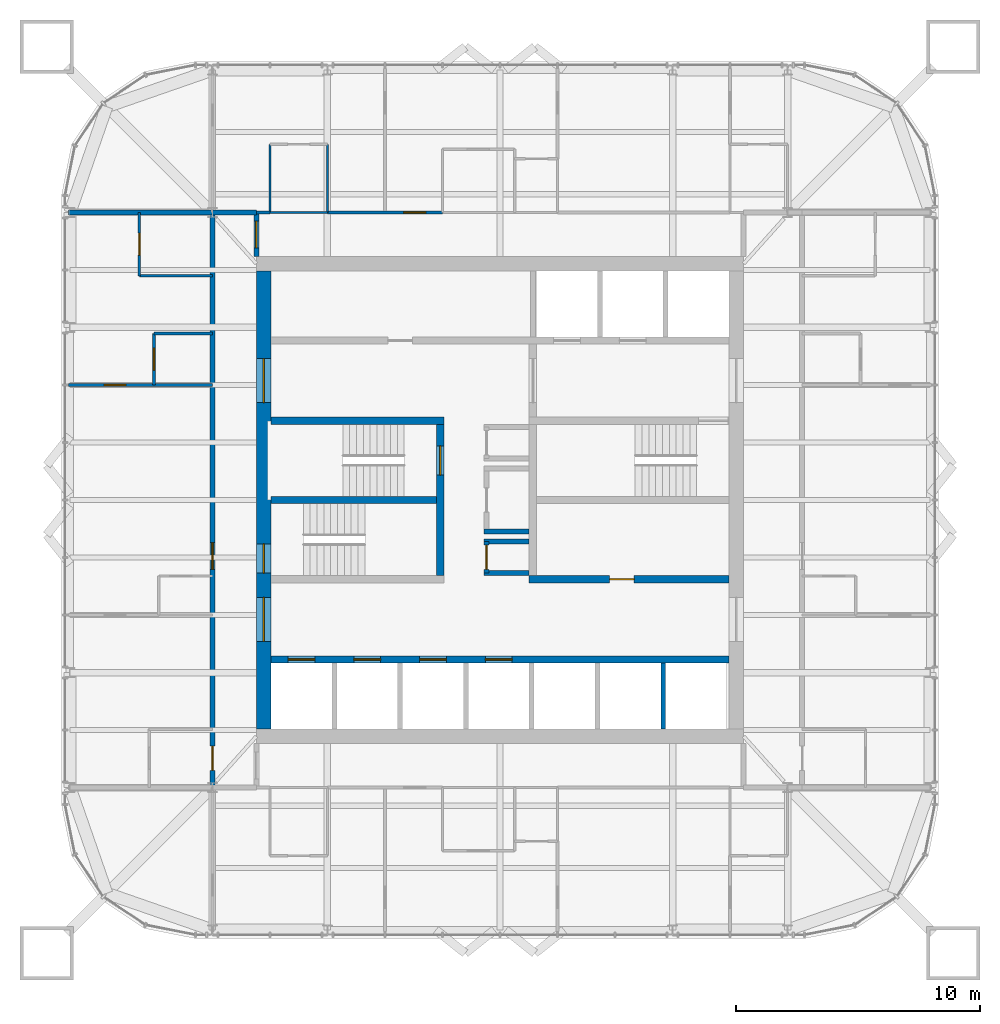
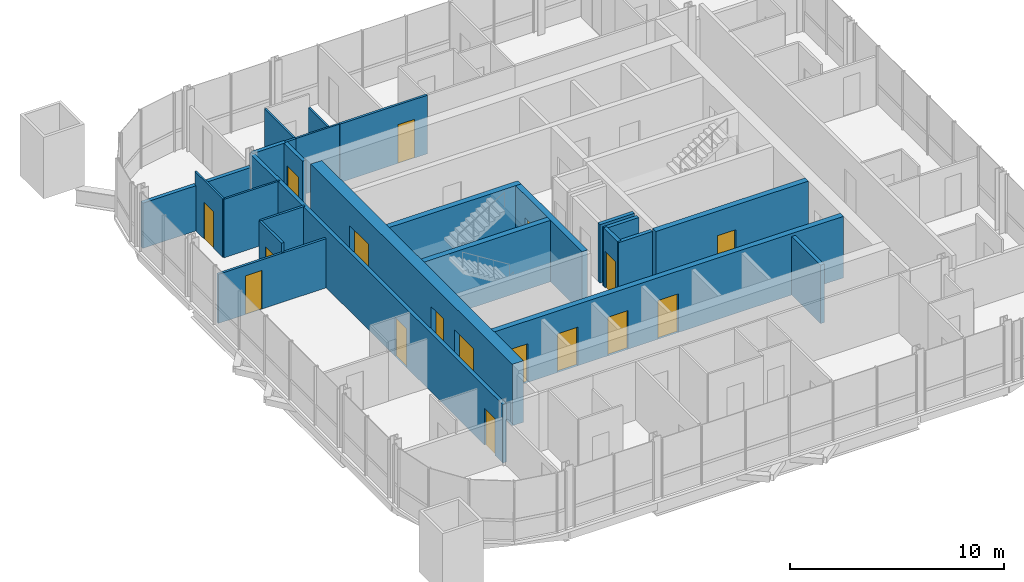
# One storey, part 14 of 17: 25 walls, 17 doors, 17 openings.
"""IFC4 building model written with IfcOpenShell, lengths in metres."""

from ifc_helpers import new_model, si_unit, direction, frame, frame_2d, origin, place, context, subcontext, project, spatial, rectangle, extrude, material, layer, layer_set, type_object, element, fill, save


model = new_model("IFC4")

# Units and contexts
model_context = context("Model", 3, precision=1e-05, world=origin(), true_north=direction((0.0, 1.0)))
body_context = subcontext(model_context, "Body", "Model", "MODEL_VIEW")
ifc_project = project(units=[si_unit("LENGTHUNIT", "METRE"), si_unit("AREAUNIT", "SQUARE_METRE"), si_unit("VOLUMEUNIT", "CUBIC_METRE"), si_unit("PLANEANGLEUNIT", "RADIAN"), si_unit("MASSUNIT", "GRAM", prefix="KILO")], contexts=[model_context])

# Site, building, storey
site_placement = place(None, origin())
site = spatial("IfcSite", under=ifc_project, at=site_placement, CompositionType="ELEMENT")
building_placement = place(site_placement, origin())
building = spatial("IfcBuilding", under=site, at=building_placement, Name="Turquesa Mirador Hotel Tower", CompositionType="ELEMENT")
storey_placement = place(building_placement, frame((0.0, 0.0, 247.699951171875)))
storey = spatial("IfcBuildingStorey", under=building, at=storey_placement, Name="L67", CompositionType="ELEMENT", Elevation=247.699951171875)

# Walls
ifc_material_1 = material(Name="Gypsum board on steel studs", Category="steel")
ifc_layer_1 = layer(ifc_material_1, 0.10009765625)
ifc_layer_set_1 = layer_set([ifc_layer_1], Name="BATHROOM WALL 100")
wall_type_1 = type_object("IfcWallType", Name="BATHROOM WALL 100", PredefinedType="PARTITIONING", material=ifc_layer_set_1)
wall_1_placement = place(storey_placement, frame((45.56005859375, 56.800048828125, 0.0), z_axis=(0.0, 0.0, 1.0), x_axis=(1.0, 0.0, 0.0)))
element("IfcWall", 1, at=wall_1_placement, inside=storey, type_object=wall_type_1, Name="Partition L67 023", PredefinedType="PARTITIONING", context=body_context, shape_type="SweptSolid", body=[
    extrude(rectangle(XDim=2.35986328125, YDim=0.10009765625, at=frame_2d((1.179931640625, 0.0))), origin(), (0.0, 0.0, 1.0), 3.330078125),
])
wall_2_placement = place(storey_placement, frame((40.199951171875, 54.199951171875, 0.0), z_axis=(0.0, 0.0, 1.0), x_axis=(1.0, 0.0, 0.0)))
element("IfcWall", 2, at=wall_2_placement, inside=storey, type_object=wall_type_1, Name="Partition L67 041", PredefinedType="PARTITIONING", context=body_context, shape_type="SweptSolid", body=[
    extrude(rectangle(XDim=3.0, YDim=0.10009765625, at=frame_2d((1.5, 0.0))), origin(), (0.0, 0.0, 1.0), 3.330078125),
])

# Wall, opening, door
wall_3_placement = place(storey_placement, frame((40.199951171875, 54.199951171875, 0.0), z_axis=(0.0, 0.0, 1.0), x_axis=(0.0, 1.0, 0.0)))
wall_3 = element("IfcWall", 3, at=wall_3_placement, inside=storey, type_object=wall_type_1, Name="Partition L67 051", PredefinedType="PARTITIONING", context=body_context, shape_type="SweptSolid", body=[
    extrude(rectangle(XDim=2.60009765625, YDim=0.10009765625, at=frame_2d((1.300048828125, 0.0))), origin(), (0.0, 0.0, 1.0), 3.330078125),
])
opening_1_placement = place(wall_3_placement, frame((0.85009765625, 0.0, 0.0)))
opening_1 = element("IfcOpeningElement", 4, at=opening_1_placement, cuts=wall_3, Name="Opening D02", PredefinedType="OPENING", context=body_context, shape_type="SweptSolid", body=[
    extrude(rectangle(XDim=0.89990234375, YDim=2.10009765625, at=frame_2d((0.449951171875, 1.050048828125))), frame((0.0, 0.06005859375, 0.0), z_axis=(0.0, -1.0, 0.0), x_axis=(1.0, 0.0, 0.0)), (0.0, 0.0, 1.0), 0.1201171875),
])
ifc_material_2 = material(Name="Timber veneered door", Category="wood")
door_type_1 = type_object("IfcDoorType", Name="DOOR 900X2100 EN-SUITE", OperationType="SINGLE_SWING_RIGHT", PredefinedType="DOOR", material=ifc_material_2)
door_1_placement = place(opening_1_placement, origin())
door_1 = element("IfcDoor", 5, at=door_1_placement, inside=storey, type_object=door_type_1, Name="Door 6704B", OperationType="SINGLE_SWING_RIGHT", OverallHeight=2.10009765625, OverallWidth=0.89990234375, PredefinedType="DOOR", context=body_context, shape_type="SweptSolid", body=[
    extrude(rectangle(XDim=0.89990234375, YDim=2.10009765625, at=frame_2d((0.449951171875, 1.050048828125))), frame((0.0, 0.02490234375, 0.0), z_axis=(0.0, -1.0, 0.0), x_axis=(1.0, 0.0, 0.0)), (0.0, 0.0, 1.0), 0.050048828125),
])
fill(opening_1, door_1)

# Walls
wall_4_placement = place(storey_placement, frame((47.919921875, 56.800048828125, 0.0), z_axis=(0.0, 0.0, 1.0), x_axis=(0.0, 1.0, 0.0)))
element("IfcWall", 6, at=wall_4_placement, inside=storey, type_object=wall_type_1, Name="Partition L67 057", PredefinedType="PARTITIONING", context=body_context, shape_type="SweptSolid", body=[
    extrude(rectangle(XDim=2.800048828125, YDim=0.10009765625, at=frame_2d((1.39990234375, 0.0))), origin(), (0.0, 0.0, 1.0), 2.5732421875),
])
wall_5_placement = place(storey_placement, frame((45.56005859375, 56.800048828125, 0.0), z_axis=(0.0, 0.0, 1.0), x_axis=(0.0, 1.0, 0.0)))
element("IfcWall", 7, at=wall_5_placement, inside=storey, type_object=wall_type_1, Name="Partition L67 059", PredefinedType="PARTITIONING", context=body_context, shape_type="SweptSolid", body=[
    extrude(rectangle(XDim=2.800048828125, YDim=0.10009765625, at=frame_2d((1.39990234375, 0.0))), origin(), (0.0, 0.0, 1.0), 3.330078125),
])

# Wall, openings, doors
ifc_material_3 = material(Name="Concrete C50/60", Category="concrete")
ifc_layer_2 = layer(ifc_material_3, 0.300048828125)
ifc_layer_set_2 = layer_set([ifc_layer_2], Name="CORE INNER WALL 300")
wall_type_2 = type_object("IfcWallType", Name="CORE INNER WALL 300", PredefinedType="SHEAR", material=ifc_layer_set_2)
wall_6_placement = place(storey_placement, frame((45.60009765625, 38.449951171875, 0.0), z_axis=(0.0, 0.0, 1.0), x_axis=(1.0, 0.0, 0.0)))
wall_6 = element("IfcWall", 8, at=wall_6_placement, inside=storey, type_object=wall_type_2, Name="Core wall SL", PredefinedType="SHEAR", context=body_context, shape_type="SweptSolid", body=[
    extrude(rectangle(XDim=18.7998046875, YDim=0.300048828125, at=frame_2d((9.39990234375, 0.0))), origin(), (0.0, 0.0, 1.0), 3.5),
])
opening_2_placement = place(wall_6_placement, frame((0.699951171875, 0.0, 0.0)))
opening_2 = element("IfcOpeningElement", 9, at=opening_2_placement, cuts=wall_6, Name="Opening LD", PredefinedType="OPENING", context=body_context, shape_type="SweptSolid", body=[
    extrude(rectangle(XDim=1.10009765625, YDim=2.199951171875, at=frame_2d((0.550048828125, 1.10009765625))), frame((0.0, 0.159912109375, 0.0), z_axis=(0.0, -1.0, 0.0), x_axis=(1.0, 0.0, 0.0)), (0.0, 0.0, 1.0), 0.320068359375),
])
opening_3_placement = place(wall_6_placement, frame((3.39990234375, 0.0, 0.0)))
opening_3 = element("IfcOpeningElement", 10, at=opening_3_placement, cuts=wall_6, Name="Opening LD", PredefinedType="OPENING", context=body_context, shape_type="SweptSolid", body=[
    extrude(rectangle(XDim=1.10009765625, YDim=2.199951171875, at=frame_2d((0.550048828125, 1.10009765625))), frame((0.0, 0.159912109375, 0.0), z_axis=(0.0, -1.0, 0.0), x_axis=(1.0, 0.0, 0.0)), (0.0, 0.0, 1.0), 0.320068359375),
])
opening_4_placement = place(wall_6_placement, frame((6.10009765625, 0.0, 0.0)))
opening_4 = element("IfcOpeningElement", 11, at=opening_4_placement, cuts=wall_6, Name="Opening LD", PredefinedType="OPENING", context=body_context, shape_type="SweptSolid", body=[
    extrude(rectangle(XDim=1.10009765625, YDim=2.199951171875, at=frame_2d((0.550048828125, 1.10009765625))), frame((0.0, 0.159912109375, 0.0), z_axis=(0.0, -1.0, 0.0), x_axis=(1.0, 0.0, 0.0)), (0.0, 0.0, 1.0), 0.320068359375),
])
opening_5_placement = place(wall_6_placement, frame((8.800048828125, 0.0, 0.0)))
opening_5 = element("IfcOpeningElement", 12, at=opening_5_placement, cuts=wall_6, Name="Opening LD", PredefinedType="OPENING", context=body_context, shape_type="SweptSolid", body=[
    extrude(rectangle(XDim=1.10009765625, YDim=2.199951171875, at=frame_2d((0.550048828125, 1.10009765625))), frame((0.0, 0.159912109375, 0.0), z_axis=(0.0, -1.0, 0.0), x_axis=(1.0, 0.0, 0.0)), (0.0, 0.0, 1.0), 0.320068359375),
])
ifc_material_4 = material(Name="Stainless steel lift landing door", Category="steel")
door_type_2 = type_object("IfcDoorType", Name="LIFT LANDING DOOR 1100X2200", OperationType="SLIDING_TO_LEFT", PredefinedType="DOOR", material=ifc_material_4)
door_2_placement = place(opening_2_placement, origin())
door_2 = element("IfcDoor", 13, at=door_2_placement, inside=storey, type_object=door_type_2, Name="Lift B1 landing door", OperationType="SLIDING_TO_LEFT", OverallHeight=2.199951171875, OverallWidth=1.10009765625, PredefinedType="DOOR", context=body_context, shape_type="SweptSolid", body=[
    extrude(rectangle(XDim=1.10009765625, YDim=2.199951171875, at=frame_2d((0.550048828125, 1.10009765625))), frame((0.0, 0.02490234375, 0.0), z_axis=(0.0, -1.0, 0.0), x_axis=(1.0, 0.0, 0.0)), (0.0, 0.0, 1.0), 0.050048828125),
])
fill(opening_2, door_2)
door_3_placement = place(opening_3_placement, origin())
door_3 = element("IfcDoor", 14, at=door_3_placement, inside=storey, type_object=door_type_2, Name="Lift B2 landing door", OperationType="SLIDING_TO_LEFT", OverallHeight=2.199951171875, OverallWidth=1.10009765625, PredefinedType="DOOR", context=body_context, shape_type="SweptSolid", body=[
    extrude(rectangle(XDim=1.10009765625, YDim=2.199951171875, at=frame_2d((0.550048828125, 1.10009765625))), frame((0.0, 0.02490234375, 0.0), z_axis=(0.0, -1.0, 0.0), x_axis=(1.0, 0.0, 0.0)), (0.0, 0.0, 1.0), 0.050048828125),
])
fill(opening_3, door_3)
door_4_placement = place(opening_4_placement, origin())
door_4 = element("IfcDoor", 15, at=door_4_placement, inside=storey, type_object=door_type_2, Name="Lift B3 landing door", OperationType="SLIDING_TO_LEFT", OverallHeight=2.199951171875, OverallWidth=1.10009765625, PredefinedType="DOOR", context=body_context, shape_type="SweptSolid", body=[
    extrude(rectangle(XDim=1.10009765625, YDim=2.199951171875, at=frame_2d((0.550048828125, 1.10009765625))), frame((0.0, 0.02490234375, 0.0), z_axis=(0.0, -1.0, 0.0), x_axis=(1.0, 0.0, 0.0)), (0.0, 0.0, 1.0), 0.050048828125),
])
fill(opening_4, door_4)
door_5_placement = place(opening_5_placement, origin())
door_5 = element("IfcDoor", 16, at=door_5_placement, inside=storey, type_object=door_type_2, Name="Lift B4 landing door", OperationType="SLIDING_TO_LEFT", OverallHeight=2.199951171875, OverallWidth=1.10009765625, PredefinedType="DOOR", context=body_context, shape_type="SweptSolid", body=[
    extrude(rectangle(XDim=1.10009765625, YDim=2.199951171875, at=frame_2d((0.550048828125, 1.10009765625))), frame((0.0, 0.02490234375, 0.0), z_axis=(0.0, -1.0, 0.0), x_axis=(1.0, 0.0, 0.0)), (0.0, 0.0, 1.0), 0.050048828125),
])
fill(opening_5, door_5)

# Wall
wall_7_placement = place(storey_placement, frame((45.60009765625, 48.25, 0.0), z_axis=(0.0, 0.0, 1.0), x_axis=(1.0, 0.0, 0.0)))
element("IfcWall", 17, at=wall_7_placement, inside=storey, type_object=wall_type_2, Name="Core wall MN-W", PredefinedType="SHEAR", context=body_context, shape_type="SweptSolid", body=[
    extrude(rectangle(XDim=7.099853515625, YDim=0.300048828125, at=frame_2d((3.5498046875, 0.0))), origin(), (0.0, 0.0, 1.0), 3.5),
])

# Wall, opening, door
wall_8_placement = place(storey_placement, frame((56.199951171875, 41.75, 0.0), z_axis=(0.0, 0.0, 1.0), x_axis=(1.0, 0.0, 0.0)))
wall_8 = element("IfcWall", 18, at=wall_8_placement, inside=storey, type_object=wall_type_2, Name="Core wall MS-E", PredefinedType="SHEAR", context=body_context, shape_type="SweptSolid", body=[
    extrude(rectangle(XDim=8.199951171875, YDim=0.300048828125, at=frame_2d((4.10009765625, 0.0))), origin(), (0.0, 0.0, 1.0), 3.5),
])
opening_6_placement = place(wall_8_placement, frame((3.300048828125, 0.0, 0.0)))
opening_6 = element("IfcOpeningElement", 19, at=opening_6_placement, cuts=wall_8, Name="Opening D05", PredefinedType="OPENING", context=body_context, shape_type="SweptSolid", body=[
    extrude(rectangle(XDim=1.0, YDim=2.10009765625, at=frame_2d((0.5, 1.050048828125))), frame((0.0, 0.159912109375, 0.0), z_axis=(0.0, -1.0, 0.0), x_axis=(1.0, 0.0, 0.0)), (0.0, 0.0, 1.0), 0.320068359375),
])
ifc_material_5 = material(Name="Steel fire door", Category="steel")
door_type_3 = type_object("IfcDoorType", Name="DOOR 1000X2100 SERVICE", OperationType="SINGLE_SWING_LEFT", PredefinedType="DOOR", material=ifc_material_5)
door_6_placement = place(opening_6_placement, origin())
door_6 = element("IfcDoor", 20, at=door_6_placement, inside=storey, type_object=door_type_3, Name="Housekeeping room door", OperationType="SINGLE_SWING_LEFT", OverallHeight=2.10009765625, OverallWidth=1.0, PredefinedType="DOOR", context=body_context, shape_type="SweptSolid", body=[
    extrude(rectangle(XDim=1.0, YDim=2.10009765625, at=frame_2d((0.5, 1.050048828125))), frame((0.0, 0.02490234375, 0.0), z_axis=(0.0, -1.0, 0.0), x_axis=(1.0, 0.0, 0.0)), (0.0, 0.0, 1.0), 0.050048828125),
])
fill(opening_6, door_6)

wall_9_placement = place(storey_placement, frame((52.550048828125, 41.89990234375, 0.0), z_axis=(0.0, 0.0, 1.0), x_axis=(0.0, 1.0, 0.0)))
wall_9 = element("IfcWall", 21, at=wall_9_placement, inside=storey, type_object=wall_type_2, Name="Core wall PW", PredefinedType="SHEAR", context=body_context, shape_type="SweptSolid", body=[
    extrude(rectangle(XDim=6.2001953125, YDim=0.300048828125, at=frame_2d((3.10009765625, 0.0))), origin(), (0.0, 0.0, 1.0), 3.5),
])
opening_7_placement = place(wall_9_placement, frame((4.125, 0.0, 0.0)))
opening_7 = element("IfcOpeningElement", 22, at=opening_7_placement, cuts=wall_9, Name="Opening D03", PredefinedType="OPENING", context=body_context, shape_type="SweptSolid", body=[
    extrude(rectangle(XDim=1.199951171875, YDim=2.199951171875, at=frame_2d((0.60009765625, 1.10009765625))), frame((0.0, 0.159912109375, 0.0), z_axis=(0.0, -1.0, 0.0), x_axis=(1.0, 0.0, 0.0)), (0.0, 0.0, 1.0), 0.320068359375),
])
ifc_material_6 = material(Name="Steel fire door", Category="steel")
door_type_4 = type_object("IfcDoorType", Name="DOOR 1200X2200 STAIR", OperationType="SINGLE_SWING_LEFT", PredefinedType="DOOR", material=ifc_material_6)
door_7_placement = place(opening_7_placement, origin())
door_7 = element("IfcDoor", 23, at=door_7_placement, inside=storey, type_object=door_type_4, Name="Stair ST1 door", OperationType="SINGLE_SWING_LEFT", OverallHeight=2.199951171875, OverallWidth=1.199951171875, PredefinedType="DOOR", context=body_context, shape_type="SweptSolid", body=[
    extrude(rectangle(XDim=1.199951171875, YDim=2.199951171875, at=frame_2d((0.60009765625, 1.10009765625))), frame((0.0, 0.02490234375, 0.0), z_axis=(0.0, -1.0, 0.0), x_axis=(1.0, 0.0, 0.0)), (0.0, 0.0, 1.0), 0.050048828125),
])
fill(opening_7, door_7)

# Wall
wall_10_placement = place(storey_placement, frame((45.60009765625, 45.0, 0.0), z_axis=(0.0, 0.0, 1.0), x_axis=(1.0, 0.0, 0.0)))
element("IfcWall", 24, at=wall_10_placement, inside=storey, type_object=wall_type_2, Name="Core wall M0-W", PredefinedType="SHEAR", context=body_context, shape_type="SweptSolid", body=[
    extrude(rectangle(XDim=6.7998046875, YDim=0.300048828125, at=frame_2d((3.39990234375, 0.0))), origin(), (0.0, 0.0, 1.0), 3.5),
])

# Wall, openings, doors
ifc_material_7 = material(Name="Concrete C50/60", Category="concrete")
ifc_layer_3 = layer(ifc_material_7, 0.60009765625)
ifc_layer_set_3 = layer_set([ifc_layer_3], Name="CORE WALL 600")
wall_type_3 = type_object("IfcWallType", Name="CORE WALL 600", PredefinedType="SHEAR", material=ifc_layer_set_3)
wall_11_placement = place(storey_placement, frame((45.300048828125, 35.60009765625, 0.0), z_axis=(0.0, 0.0, 1.0), x_axis=(0.0, 1.0, 0.0)))
wall_11 = element("IfcWall", 25, at=wall_11_placement, inside=storey, type_object=wall_type_3, Name="Core wall W", PredefinedType="SHEAR", context=body_context, shape_type="SweptSolid", body=[
    extrude(rectangle(XDim=18.7998046875, YDim=0.60009765625, at=frame_2d((9.39990234375, 0.0))), origin(), (0.0, 0.0, 1.0), 3.5),
])
opening_8_placement = place(wall_11_placement, frame((13.39990234375, 0.0, 0.0)))
opening_8 = element("IfcOpeningElement", 26, at=opening_8_placement, cuts=wall_11, Name="Opening D04", PredefinedType="OPENING", context=body_context, shape_type="SweptSolid", body=[
    extrude(rectangle(XDim=1.800048828125, YDim=2.199951171875, at=frame_2d((0.89990234375, 1.10009765625))), frame((0.0, 0.31005859375, 0.0), z_axis=(0.0, -1.0, 0.0), x_axis=(1.0, 0.0, 0.0)), (0.0, 0.0, 1.0), 0.6201171875),
])
opening_9_placement = place(wall_11_placement, frame((3.60009765625, 0.0, 0.0)))
opening_9 = element("IfcOpeningElement", 27, at=opening_9_placement, cuts=wall_11, Name="Opening D04", PredefinedType="OPENING", context=body_context, shape_type="SweptSolid", body=[
    extrude(rectangle(XDim=1.800048828125, YDim=2.199951171875, at=frame_2d((0.89990234375, 1.10009765625))), frame((0.0, 0.31005859375, 0.0), z_axis=(0.0, -1.0, 0.0), x_axis=(1.0, 0.0, 0.0)), (0.0, 0.0, 1.0), 0.6201171875),
])
opening_10_placement = place(wall_11_placement, frame((6.39990234375, 0.0, 0.0)))
opening_10 = element("IfcOpeningElement", 28, at=opening_10_placement, cuts=wall_11, Name="Opening D03", PredefinedType="OPENING", context=body_context, shape_type="SweptSolid", body=[
    extrude(rectangle(XDim=1.199951171875, YDim=2.199951171875, at=frame_2d((0.60009765625, 1.10009765625))), frame((0.0, 0.31005859375, 0.0), z_axis=(0.0, -1.0, 0.0), x_axis=(1.0, 0.0, 0.0)), (0.0, 0.0, 1.0), 0.6201171875),
])
door_8_placement = place(opening_10_placement, origin())
door_8 = element("IfcDoor", 29, at=door_8_placement, inside=storey, type_object=door_type_4, Name="Stair ST2 door", OperationType="SINGLE_SWING_LEFT", OverallHeight=2.199951171875, OverallWidth=1.199951171875, PredefinedType="DOOR", context=body_context, shape_type="SweptSolid", body=[
    extrude(rectangle(XDim=1.199951171875, YDim=2.199951171875, at=frame_2d((0.60009765625, 1.10009765625))), frame((0.0, 0.02490234375, 0.0), z_axis=(0.0, -1.0, 0.0), x_axis=(1.0, 0.0, 0.0)), (0.0, 0.0, 1.0), 0.050048828125),
])
fill(opening_10, door_8)
ifc_material_8 = material(Name="Steel fire door pair", Category="steel")
door_type_5 = type_object("IfcDoorType", Name="DOOR 1800X2200 PAIR", OperationType="DOUBLE_DOOR_SINGLE_SWING", PredefinedType="DOOR", material=ifc_material_8)
door_9_placement = place(opening_8_placement, origin())
door_9 = element("IfcDoor", 30, at=door_9_placement, inside=storey, type_object=door_type_5, Name="North lift lobby door", OperationType="DOUBLE_DOOR_SINGLE_SWING", OverallHeight=2.199951171875, OverallWidth=1.800048828125, PredefinedType="DOOR", context=body_context, shape_type="SweptSolid", body=[
    extrude(rectangle(XDim=1.800048828125, YDim=2.199951171875, at=frame_2d((0.89990234375, 1.10009765625))), frame((0.0, 0.02490234375, 0.0), z_axis=(0.0, -1.0, 0.0), x_axis=(1.0, 0.0, 0.0)), (0.0, 0.0, 1.0), 0.050048828125),
])
fill(opening_8, door_9)
door_10_placement = place(opening_9_placement, origin())
door_10 = element("IfcDoor", 31, at=door_10_placement, inside=storey, type_object=door_type_5, Name="South lift lobby door", OperationType="DOUBLE_DOOR_SINGLE_SWING", OverallHeight=2.199951171875, OverallWidth=1.800048828125, PredefinedType="DOOR", context=body_context, shape_type="SweptSolid", body=[
    extrude(rectangle(XDim=1.800048828125, YDim=2.199951171875, at=frame_2d((0.89990234375, 1.10009765625))), frame((0.0, 0.02490234375, 0.0), z_axis=(0.0, -1.0, 0.0), x_axis=(1.0, 0.0, 0.0)), (0.0, 0.0, 1.0), 0.050048828125),
])
fill(opening_9, door_10)

# Wall
ifc_material_9 = material(Name="Fire-rated gypsum board on steel studs", Category="steel")
ifc_layer_4 = layer(ifc_material_9, 0.199951171875)
ifc_layer_set_4 = layer_set([ifc_layer_4], Name="CORRIDOR WALL 200")
wall_type_4 = type_object("IfcWallType", Name="CORRIDOR WALL 200", PredefinedType="PARTITIONING", material=ifc_layer_set_4)
wall_12_placement = place(storey_placement, frame((43.199951171875, 56.800048828125, 0.0), z_axis=(0.0, 0.0, 1.0), x_axis=(1.0, 0.0, 0.0)))
element("IfcWall", 32, at=wall_12_placement, inside=storey, type_object=wall_type_4, Name="Partition L67 026", PredefinedType="PARTITIONING", context=body_context, shape_type="SweptSolid", body=[
    extrude(rectangle(XDim=1.800048828125, YDim=0.199951171875, at=frame_2d((0.89990234375, 0.0))), origin(), (0.0, 0.0, 1.0), 3.330078125),
])

# Wall, opening, door
wall_13_placement = place(storey_placement, frame((45.0, 55.0, 0.0), z_axis=(0.0, 0.0, 1.0), x_axis=(0.0, 1.0, 0.0)))
wall_13 = element("IfcWall", 33, at=wall_13_placement, inside=storey, type_object=wall_type_4, Name="Partition L67 044", PredefinedType="PARTITIONING", context=body_context, shape_type="SweptSolid", body=[
    extrude(rectangle(XDim=1.800048828125, YDim=0.199951171875, at=frame_2d((0.89990234375, 0.0))), origin(), (0.0, 0.0, 1.0), 3.330078125),
])
opening_11_placement = place(wall_13_placement, frame((0.35009765625, 0.0, 0.0)))
opening_11 = element("IfcOpeningElement", 34, at=opening_11_placement, cuts=wall_13, Name="Opening D15", PredefinedType="OPENING", context=body_context, shape_type="SweptSolid", body=[
    extrude(rectangle(XDim=1.10009765625, YDim=2.199951171875, at=frame_2d((0.550048828125, 1.10009765625))), frame((0.0, 0.10986328125, 0.0), z_axis=(0.0, -1.0, 0.0), x_axis=(1.0, 0.0, 0.0)), (0.0, 0.0, 1.0), 0.219970703125),
])
ifc_material_10 = material(Name="Timber veneered fire door", Category="wood")
door_type_6 = type_object("IfcDoorType", Name="DOOR 1100X2200 SUITE ENTRY", OperationType="SINGLE_SWING_LEFT", PredefinedType="DOOR", material=ifc_material_10)
door_11_placement = place(opening_11_placement, origin())
door_11 = element("IfcDoor", 35, at=door_11_placement, inside=storey, type_object=door_type_6, Name="Door 6701G", OperationType="SINGLE_SWING_LEFT", OverallHeight=2.199951171875, OverallWidth=1.10009765625, PredefinedType="DOOR", context=body_context, shape_type="SweptSolid", body=[
    extrude(rectangle(XDim=1.10009765625, YDim=2.199951171875, at=frame_2d((0.550048828125, 1.10009765625))), frame((0.0, 0.02490234375, 0.0), z_axis=(0.0, -1.0, 0.0), x_axis=(1.0, 0.0, 0.0)), (0.0, 0.0, 1.0), 0.050048828125),
])
fill(opening_11, door_11)

# Wall, openings, doors
wall_14_placement = place(storey_placement, frame((43.199951171875, 33.199951171875, 0.0), z_axis=(0.0, 0.0, 1.0), x_axis=(0.0, 1.0, 0.0)))
wall_14 = element("IfcWall", 36, at=wall_14_placement, inside=storey, type_object=wall_type_4, Name="Partition L67 045", PredefinedType="PARTITIONING", context=body_context, shape_type="SweptSolid", body=[
    extrude(rectangle(XDim=23.60009765625, YDim=0.199951171875, at=frame_2d((11.800048828125, 0.0))), origin(), (0.0, 0.0, 1.0), 3.330078125),
])
opening_12_placement = place(wall_14_placement, frame((8.949951171875, 0.0, 0.0)))
opening_12 = element("IfcOpeningElement", 37, at=opening_12_placement, cuts=wall_14, Name="Opening D15", PredefinedType="OPENING", context=body_context, shape_type="SweptSolid", body=[
    extrude(rectangle(XDim=1.10009765625, YDim=2.199951171875, at=frame_2d((0.550048828125, 1.10009765625))), frame((0.0, 0.10986328125, 0.0), z_axis=(0.0, -1.0, 0.0), x_axis=(1.0, 0.0, 0.0)), (0.0, 0.0, 1.0), 0.219970703125),
])
opening_13_placement = place(wall_14_placement, frame((0.699951171875, 0.0, 0.0)))
opening_13 = element("IfcOpeningElement", 38, at=opening_13_placement, cuts=wall_14, Name="Opening D05", PredefinedType="OPENING", context=body_context, shape_type="SweptSolid", body=[
    extrude(rectangle(XDim=1.0, YDim=2.10009765625, at=frame_2d((0.5, 1.050048828125))), frame((0.0, 0.10986328125, 0.0), z_axis=(0.0, -1.0, 0.0), x_axis=(1.0, 0.0, 0.0)), (0.0, 0.0, 1.0), 0.219970703125),
])
door_12_placement = place(opening_13_placement, origin())
door_12 = element("IfcDoor", 39, at=door_12_placement, inside=storey, type_object=door_type_3, Name="Door 6704P-1", OperationType="SINGLE_SWING_LEFT", OverallHeight=2.10009765625, OverallWidth=1.0, PredefinedType="DOOR", context=body_context, shape_type="SweptSolid", body=[
    extrude(rectangle(XDim=1.0, YDim=2.10009765625, at=frame_2d((0.5, 1.050048828125))), frame((0.0, 0.02490234375, 0.0), z_axis=(0.0, -1.0, 0.0), x_axis=(1.0, 0.0, 0.0)), (0.0, 0.0, 1.0), 0.050048828125),
])
fill(opening_13, door_12)
door_13_placement = place(opening_12_placement, origin())
door_13 = element("IfcDoor", 40, at=door_13_placement, inside=storey, type_object=door_type_6, Name="Door 6704", OperationType="SINGLE_SWING_LEFT", OverallHeight=2.199951171875, OverallWidth=1.10009765625, PredefinedType="DOOR", context=body_context, shape_type="SweptSolid", body=[
    extrude(rectangle(XDim=1.10009765625, YDim=2.199951171875, at=frame_2d((0.550048828125, 1.10009765625))), frame((0.0, 0.02490234375, 0.0), z_axis=(0.0, -1.0, 0.0), x_axis=(1.0, 0.0, 0.0)), (0.0, 0.0, 1.0), 0.050048828125),
])
fill(opening_12, door_13)

# Wall, opening, door
ifc_material_11 = material(Name="Fire-rated gypsum board on steel studs", Category="steel")
ifc_layer_5 = layer(ifc_material_11, 0.199951171875)
ifc_layer_set_5 = layer_set([ifc_layer_5], Name="FIRE PARTITION 200")
wall_type_5 = type_object("IfcWallType", Name="FIRE PARTITION 200", PredefinedType="PARTITIONING", material=ifc_layer_set_5)
wall_15_placement = place(storey_placement, frame((54.449951171875, 42.0, 0.0), z_axis=(0.0, 0.0, 1.0), x_axis=(0.0, 1.0, 0.0)))
wall_15 = element("IfcWall", 41, at=wall_15_placement, inside=storey, type_object=wall_type_5, Name="Partition L67 VR W", PredefinedType="PARTITIONING", context=body_context, shape_type="SweptSolid", body=[
    extrude(rectangle(XDim=1.300048828125, YDim=0.199951171875, at=frame_2d((0.64990234375, 0.0))), origin(), (0.0, 0.0, 1.0), 3.330078125),
])
opening_14_placement = place(wall_15_placement, frame((0.14990234375, 0.0, 0.0)))
opening_14 = element("IfcOpeningElement", 42, at=opening_14_placement, cuts=wall_15, Name="Opening D05", PredefinedType="OPENING", context=body_context, shape_type="SweptSolid", body=[
    extrude(rectangle(XDim=1.0, YDim=2.10009765625, at=frame_2d((0.5, 1.050048828125))), frame((0.0, 0.10986328125, 0.0), z_axis=(0.0, -1.0, 0.0), x_axis=(1.0, 0.0, 0.0)), (0.0, 0.0, 1.0), 0.219970703125),
])
door_14_placement = place(opening_14_placement, origin())
door_14 = element("IfcDoor", 43, at=door_14_placement, inside=storey, type_object=door_type_3, Name="Valet room door", OperationType="SINGLE_SWING_LEFT", OverallHeight=2.10009765625, OverallWidth=1.0, PredefinedType="DOOR", context=body_context, shape_type="SweptSolid", body=[
    extrude(rectangle(XDim=1.0, YDim=2.10009765625, at=frame_2d((0.5, 1.050048828125))), frame((0.0, 0.02490234375, 0.0), z_axis=(0.0, -1.0, 0.0), x_axis=(1.0, 0.0, 0.0)), (0.0, 0.0, 1.0), 0.050048828125),
])
fill(opening_14, door_14)

# Walls
for number, where, z_axis, x_axis, name in (
    (44, (54.35009765625, 42.0, 0.0), (0.0, 0.0, 1.0), (1.0, 0.0, 0.0), "Partition L67 VR S"),
    (45, (54.35009765625, 43.300048828125, 0.0), (0.0, 0.0, 1.0), (1.0, 0.0, 0.0), "Partition L67 VR N"),
    (46, (54.35009765625, 43.699951171875, 0.0), (0.0, 0.0, 1.0), (1.0, 0.0, 0.0), "Partition L67 BO S"),
):
    element("IfcWall", number, at=place(storey_placement, frame(where, z_axis=z_axis, x_axis=x_axis)), inside=storey, type_object=wall_type_5, Name=name, PredefinedType="PARTITIONING", context=body_context, shape_type="SweptSolid", body=[
        extrude(rectangle(XDim=1.849853515625, YDim=0.199951171875, at=frame_2d((0.9248046875, 0.0))), origin(), (0.0, 0.0, 1.0), 3.330078125),
    ])
ifc_material_12 = material(Name="Fire-rated gypsum shaft wall on steel studs", Category="steel")
ifc_layer_6 = layer(ifc_material_12, 0.199951171875)
ifc_layer_set_6 = layer_set([ifc_layer_6], Name="LIFT SHAFT DIVIDER 200")
wall_type_6 = type_object("IfcWallType", Name="LIFT SHAFT DIVIDER 200", PredefinedType="PARTITIONING", material=ifc_layer_set_6)
wall_16_placement = place(storey_placement, frame((61.699951171875, 35.60009765625, 0.0), z_axis=(0.0, 0.0, 1.0), x_axis=(0.0, 1.0, 0.0)))
element("IfcWall", 47, at=wall_16_placement, inside=storey, type_object=wall_type_6, Name="Lift shaft divider", PredefinedType="PARTITIONING", context=body_context, shape_type="SweptSolid", body=[
    extrude(rectangle(XDim=2.699951171875, YDim=0.199951171875, at=frame_2d((1.35009765625, 0.0))), origin(), (0.0, 0.0, 1.0), 3.330078125),
])
ifc_material_13 = material(Name="Fire-rated gypsum board on steel studs", Category="steel")
ifc_layer_7 = layer(ifc_material_13, 0.199951171875)
ifc_layer_set_7 = layer_set([ifc_layer_7], Name="PARTY WALL 200")
wall_type_7 = type_object("IfcWallType", Name="PARTY WALL 200", PredefinedType="PARTITIONING", material=ifc_layer_set_7)
wall_17_placement = place(storey_placement, frame((37.300048828125, 56.800048828125, 0.0), z_axis=(0.0, 0.0, 1.0), x_axis=(1.0, 0.0, 0.0)))
element("IfcWall", 48, at=wall_17_placement, inside=storey, type_object=wall_type_7, Name="Partition L67 028", PredefinedType="PARTITIONING", context=body_context, shape_type="SweptSolid", body=[
    extrude(rectangle(XDim=5.89990234375, YDim=0.199951171875, at=frame_2d((2.949951171875, 0.0))), origin(), (0.0, 0.0, 1.0), 2.5732421875),
])
ifc_material_14 = material(Name="Acoustic gypsum board on steel studs", Category="steel")
ifc_layer_8 = layer(ifc_material_14, 0.125)
ifc_layer_set_8 = layer_set([ifc_layer_8], Name="SUITE PARTITION 125")
wall_type_8 = type_object("IfcWallType", Name="SUITE PARTITION 125", PredefinedType="PARTITIONING", material=ifc_layer_set_8)
wall_18_placement = place(storey_placement, frame((45.0, 56.800048828125, 0.0), z_axis=(0.0, 0.0, 1.0), x_axis=(1.0, 0.0, 0.0)))
element("IfcWall", 49, at=wall_18_placement, inside=storey, type_object=wall_type_8, Name="Partition L67 030", PredefinedType="PARTITIONING", context=body_context, shape_type="SweptSolid", body=[
    extrude(rectangle(XDim=0.56005859375, YDim=0.125, at=frame_2d((0.280029296875, 0.0))), origin(), (0.0, 0.0, 1.0), 3.330078125),
])

# Wall, opening, door
wall_19_placement = place(storey_placement, frame((47.919921875, 56.800048828125, 0.0), z_axis=(0.0, 0.0, 1.0), x_axis=(1.0, 0.0, 0.0)))
wall_19 = element("IfcWall", 50, at=wall_19_placement, inside=storey, type_object=wall_type_8, Name="Partition L67 031", PredefinedType="PARTITIONING", context=body_context, shape_type="SweptSolid", body=[
    extrude(rectangle(XDim=4.719970703125, YDim=0.125, at=frame_2d((2.35986328125, 0.0))), origin(), (0.0, 0.0, 1.0), 3.330078125),
])
opening_15_placement = place(wall_19_placement, frame((3.1298828125, 0.0, 0.0)))
opening_15 = element("IfcOpeningElement", 51, at=opening_15_placement, cuts=wall_19, Name="Opening D17", PredefinedType="OPENING", context=body_context, shape_type="SweptSolid", body=[
    extrude(rectangle(XDim=0.89990234375, YDim=2.199951171875, at=frame_2d((0.449951171875, 1.10009765625))), frame((0.0, 0.072509765625, 0.0), z_axis=(0.0, -1.0, 0.0), x_axis=(1.0, 0.0, 0.0)), (0.0, 0.0, 1.0), 0.14501953125),
])
ifc_material_15 = material(Name="Timber veneered door", Category="wood")
door_type_7 = type_object("IfcDoorType", Name="DOOR 900X2200 SUITE INTERNAL", OperationType="SINGLE_SWING_LEFT", PredefinedType="DOOR", material=ifc_material_15)
door_15_placement = place(opening_15_placement, origin())
door_15 = element("IfcDoor", 52, at=door_15_placement, inside=storey, type_object=door_type_7, Name="Door 6701", OperationType="SINGLE_SWING_LEFT", OverallHeight=2.199951171875, OverallWidth=0.89990234375, PredefinedType="DOOR", context=body_context, shape_type="SweptSolid", body=[
    extrude(rectangle(XDim=0.89990234375, YDim=2.199951171875, at=frame_2d((0.449951171875, 1.10009765625))), frame((0.0, 0.02490234375, 0.0), z_axis=(0.0, -1.0, 0.0), x_axis=(1.0, 0.0, 0.0)), (0.0, 0.0, 1.0), 0.050048828125),
])
fill(opening_15, door_15)

wall_20_placement = place(storey_placement, frame((37.300048828125, 49.719970703125, 0.0), z_axis=(0.0, 0.0, 1.0), x_axis=(1.0, 0.0, 0.0)))
wall_20 = element("IfcWall", 53, at=wall_20_placement, inside=storey, type_object=wall_type_8, Name="Partition L67 037", PredefinedType="PARTITIONING", context=body_context, shape_type="SweptSolid", body=[
    extrude(rectangle(XDim=5.89990234375, YDim=0.125, at=frame_2d((2.949951171875, 0.0))), origin(), (0.0, 0.0, 1.0), 2.796630859375),
])
opening_16_placement = place(wall_20_placement, frame((1.449951171875, 0.0, 0.0)))
opening_16 = element("IfcOpeningElement", 54, at=opening_16_placement, cuts=wall_20, Name="Opening D17", PredefinedType="OPENING", context=body_context, shape_type="SweptSolid", body=[
    extrude(rectangle(XDim=0.89990234375, YDim=2.199951171875, at=frame_2d((0.449951171875, 1.10009765625))), frame((0.0, 0.072509765625, 0.0), z_axis=(0.0, -1.0, 0.0), x_axis=(1.0, 0.0, 0.0)), (0.0, 0.0, 1.0), 0.14501953125),
])
door_16_placement = place(opening_16_placement, origin())
door_16 = element("IfcDoor", 55, at=door_16_placement, inside=storey, type_object=door_type_7, Name="Door 6704R", OperationType="SINGLE_SWING_LEFT", OverallHeight=2.199951171875, OverallWidth=0.89990234375, PredefinedType="DOOR", context=body_context, shape_type="SweptSolid", body=[
    extrude(rectangle(XDim=0.89990234375, YDim=2.199951171875, at=frame_2d((0.449951171875, 1.10009765625))), frame((0.0, 0.02490234375, 0.0), z_axis=(0.0, -1.0, 0.0), x_axis=(1.0, 0.0, 0.0)), (0.0, 0.0, 1.0), 0.050048828125),
])
fill(opening_16, door_16)

# Wall
wall_21_placement = place(storey_placement, frame((40.800048828125, 51.840087890625, 0.0), z_axis=(0.0, 0.0, 1.0), x_axis=(1.0, 0.0, 0.0)))
element("IfcWall", 56, at=wall_21_placement, inside=storey, type_object=wall_type_8, Name="Partition L67 039", PredefinedType="PARTITIONING", context=body_context, shape_type="SweptSolid", body=[
    extrude(rectangle(XDim=2.39990234375, YDim=0.125, at=frame_2d((1.199951171875, 0.0))), origin(), (0.0, 0.0, 1.0), 3.330078125),
])

# Wall, opening, door
wall_22_placement = place(storey_placement, frame((40.800048828125, 49.719970703125, 0.0), z_axis=(0.0, 0.0, 1.0), x_axis=(0.0, 1.0, 0.0)))
wall_22 = element("IfcWall", 57, at=wall_22_placement, inside=storey, type_object=wall_type_8, Name="Partition L67 049", PredefinedType="PARTITIONING", context=body_context, shape_type="SweptSolid", body=[
    extrude(rectangle(XDim=2.1201171875, YDim=0.125, at=frame_2d((1.06005859375, 0.0))), origin(), (0.0, 0.0, 1.0), 3.330078125),
])
opening_17_placement = place(wall_22_placement, frame((0.610107421875, 0.0, 0.0)))
opening_17 = element("IfcOpeningElement", 58, at=opening_17_placement, cuts=wall_22, Name="Opening D17", PredefinedType="OPENING", context=body_context, shape_type="SweptSolid", body=[
    extrude(rectangle(XDim=0.89990234375, YDim=2.199951171875, at=frame_2d((0.449951171875, 1.10009765625))), frame((0.0, 0.072509765625, 0.0), z_axis=(0.0, -1.0, 0.0), x_axis=(1.0, 0.0, 0.0)), (0.0, 0.0, 1.0), 0.14501953125),
])
door_17_placement = place(opening_17_placement, origin())
door_17 = element("IfcDoor", 59, at=door_17_placement, inside=storey, type_object=door_type_7, Name="Door 6704D", OperationType="SINGLE_SWING_LEFT", OverallHeight=2.199951171875, OverallWidth=0.89990234375, PredefinedType="DOOR", context=body_context, shape_type="SweptSolid", body=[
    extrude(rectangle(XDim=0.89990234375, YDim=2.199951171875, at=frame_2d((0.449951171875, 1.10009765625))), frame((0.0, 0.02490234375, 0.0), z_axis=(0.0, -1.0, 0.0), x_axis=(1.0, 0.0, 0.0)), (0.0, 0.0, 1.0), 0.050048828125),
])
fill(opening_17, door_17)

save(model, "model.ifc")
